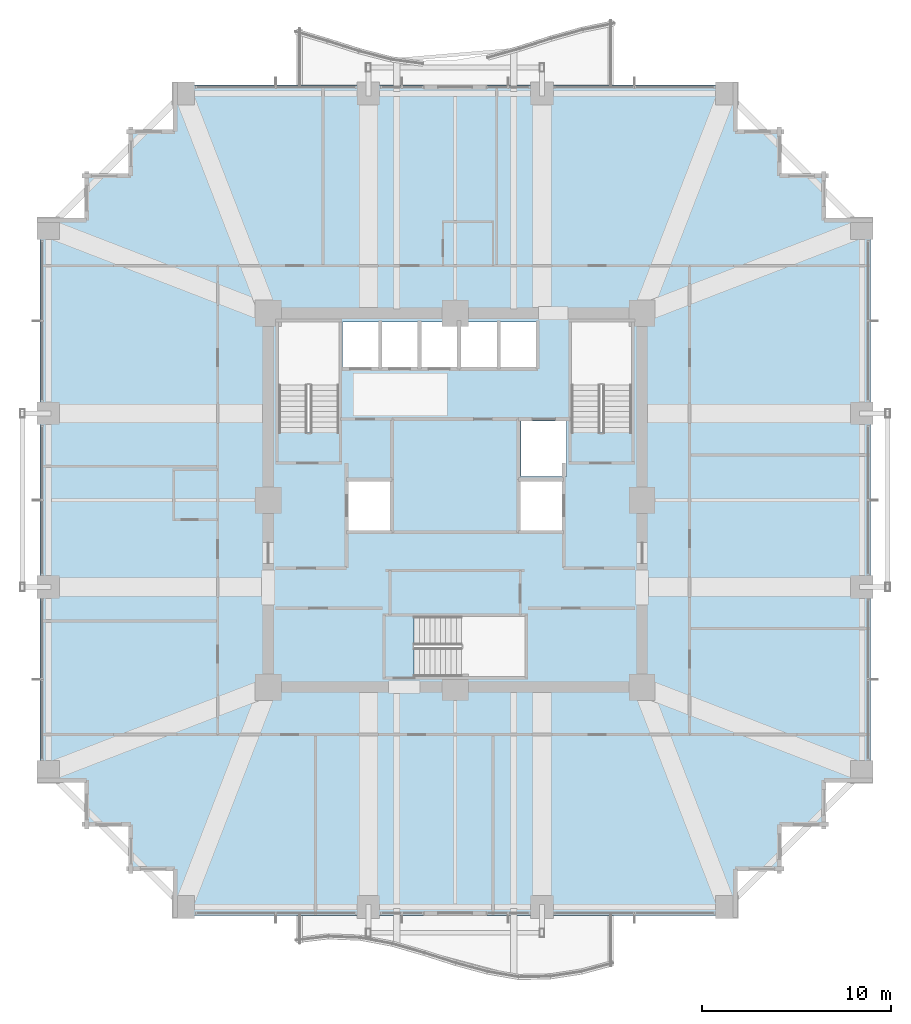
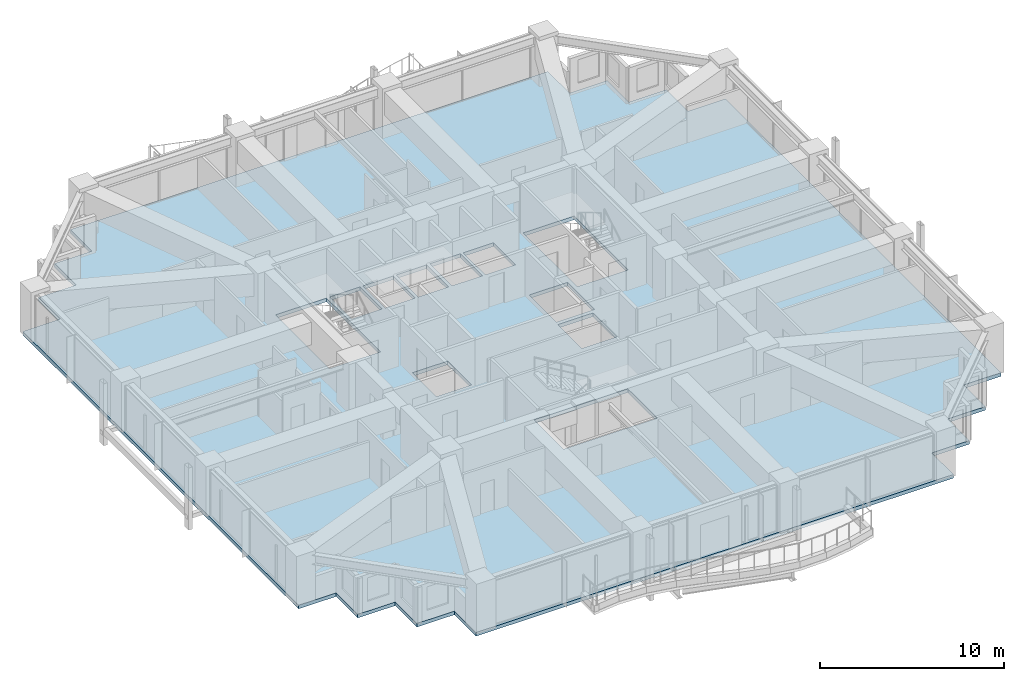
# One storey, part 27 of 37: 1 slab.
"""IFC4 building model written with IfcOpenShell, lengths in metres."""

from ifc_helpers import new_model, si_unit, direction, frame, origin, place, context, subcontext, project, spatial, polyline, outline, extrude, material, layer, layer_set, type_object, element, save


model = new_model("IFC4")

# Units and contexts
model_context = context("Model", 3, precision=1e-05, world=origin(), true_north=direction((0.0, 1.0)))
body_context = subcontext(model_context, "Body", "Model", "MODEL_VIEW")
ifc_project = project(units=[si_unit("LENGTHUNIT", "METRE"), si_unit("AREAUNIT", "SQUARE_METRE"), si_unit("VOLUMEUNIT", "CUBIC_METRE"), si_unit("PLANEANGLEUNIT", "RADIAN"), si_unit("MASSUNIT", "GRAM", prefix="KILO")], contexts=[model_context])

# Site, building, storey
site_placement = place(None, origin())
site = spatial("IfcSite", under=ifc_project, at=site_placement, CompositionType="ELEMENT")
building_placement = place(site_placement, origin())
building = spatial("IfcBuilding", under=site, at=building_placement, Name="Kolvaren Belvedere", CompositionType="ELEMENT")
storey_placement = place(building_placement, frame((0.0, 0.0, 43.60009765625)))
storey = spatial("IfcBuildingStorey", under=building, at=storey_placement, Name="L12", CompositionType="ELEMENT", Elevation=43.60009765625)

# Slab
ifc_material = material(Name="Concrete C50/60", Category="concrete")
ifc_layer = layer(ifc_material, 0.239990234375)
ifc_layer_set = layer_set([ifc_layer], Name="Concrete C50/60")
slab_type = type_object("IfcSlabType", Name="SL-FLR-240", PredefinedType="FLOOR", material=ifc_layer_set)
slab_placement = place(storey_placement, frame((0.0, 0.0, -0.239990234375)))
element("IfcSlab", 1, at=slab_placement, inside=storey, type_object=slab_type, Name="L12 Primary Structural Slab", PredefinedType="FLOOR", context=body_context, shape_type="SweptSolid", body=[
    extrude(outline(polyline([(-14.949951171875, -22.0), (14.949951171875, -22.0), (14.949951171875, -19.64990234375), (17.300048828125, -19.64990234375), (17.300048828125, -17.300048828125), (19.64990234375, -17.300048828125), (19.64990234375, -14.949951171875), (22.0, -14.949951171875), (22.0, 14.949951171875), (19.64990234375, 14.949951171875), (19.64990234375, 17.300048828125), (17.300048828125, 17.300048828125), (17.300048828125, 19.64990234375), (14.949951171875, 19.64990234375), (14.949951171875, 22.0), (-14.949951171875, 22.0), (-14.949951171875, 19.64990234375), (-17.300048828125, 19.64990234375), (-17.300048828125, 17.300048828125), (-19.64990234375, 17.300048828125), (-19.64990234375, 14.949951171875), (-22.0, 14.949951171875), (-22.0, -14.949951171875), (-19.64990234375, -14.949951171875), (-19.64990234375, -17.300048828125), (-17.300048828125, -17.300048828125), (-17.300048828125, -19.64990234375), (-14.949951171875, -19.64990234375), (-14.949951171875, -22.0)]), holes=[polyline([(-9.35009765625, 3.580078125), (-6.159912109375, 3.580078125), (-6.159912109375, 9.449951171875), (-9.35009765625, 9.449951171875), (-9.35009765625, 3.580078125)]), polyline([(6.159912109375, 3.580078125), (9.35009765625, 3.580078125), (9.35009765625, 9.449951171875), (6.159912109375, 9.449951171875), (6.159912109375, 3.580078125)]), polyline([(-2.169921875, -9.35009765625), (3.699951171875, -9.35009765625), (3.699951171875, -6.159912109375), (-2.169921875, -6.159912109375), (-2.169921875, -9.35009765625)]), polyline([(-5.64990234375, -1.60009765625), (-3.449951171875, -1.60009765625), (-3.449951171875, 1.0), (-5.64990234375, 1.0), (-5.64990234375, -1.60009765625)]), polyline([(3.5, 1.25), (5.89990234375, 1.25), (5.89990234375, 4.199951171875), (3.5, 4.199951171875), (3.5, 1.25)]), polyline([(3.449951171875, -1.60009765625), (5.64990234375, -1.60009765625), (5.64990234375, 1.0), (3.449951171875, 1.0), (3.449951171875, -1.60009765625)]), polyline([(-5.9599609375, 7.050048828125), (-4.06005859375, 7.050048828125), (-4.06005859375, 9.449951171875), (-5.9599609375, 9.449951171875), (-5.9599609375, 7.050048828125)]), polyline([(-3.8798828125, 7.050048828125), (-1.97998046875, 7.050048828125), (-1.97998046875, 9.449951171875), (-3.8798828125, 9.449951171875), (-3.8798828125, 7.050048828125)]), polyline([(-1.800048828125, 7.050048828125), (0.10009765625, 7.050048828125), (0.10009765625, 9.449951171875), (-1.800048828125, 9.449951171875), (-1.800048828125, 7.050048828125)]), polyline([(0.320068359375, 7.050048828125), (2.219970703125, 7.050048828125), (2.219970703125, 9.449951171875), (0.320068359375, 9.449951171875), (0.320068359375, 7.050048828125)]), polyline([(2.39990234375, 7.050048828125), (4.300048828125, 7.050048828125), (4.300048828125, 9.449951171875), (2.39990234375, 9.449951171875), (2.39990234375, 7.050048828125)])]), origin(), (0.0, 0.0, 1.0), 0.239990234375),
])

save(model, "model.ifc")
